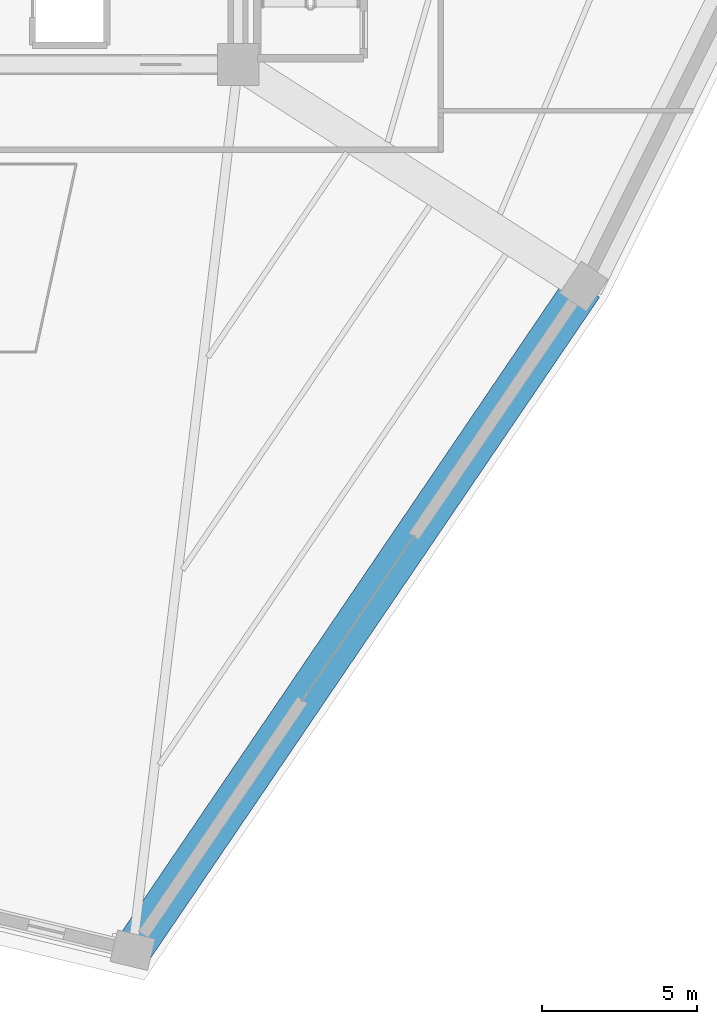
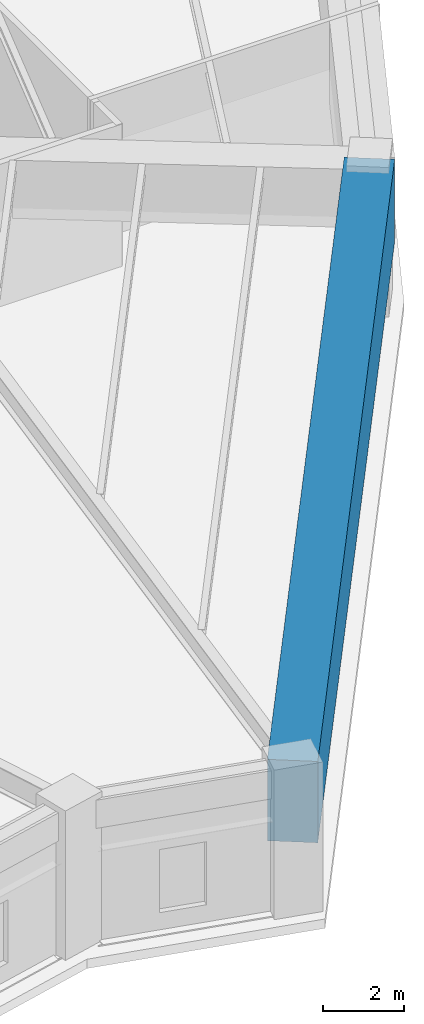
# One storey, part 7 of 39: 1 beam.
"""IFC4 building model written with IfcOpenShell, lengths in metres."""

from ifc_helpers import new_model, si_unit, direction, frame, origin, origin_2d, place, context, subcontext, project, spatial, rectangle, extrude, source, transform, mapped, material, material_profile, profile_set, type_object, element, save


model = new_model("IFC4")

# Units and contexts
model_context = context("Model", 3, precision=1e-05, world=origin(), true_north=direction((0.0, 1.0)))
body_context = subcontext(model_context, "Body", "Model", "MODEL_VIEW")
ifc_project = project(units=[si_unit("LENGTHUNIT", "METRE"), si_unit("AREAUNIT", "SQUARE_METRE"), si_unit("VOLUMEUNIT", "CUBIC_METRE"), si_unit("PLANEANGLEUNIT", "RADIAN"), si_unit("MASSUNIT", "GRAM", prefix="KILO")], contexts=[model_context])

# Site, building, storey
site_placement = place(None, origin())
site = spatial("IfcSite", under=ifc_project, at=site_placement, CompositionType="ELEMENT")
building_placement = place(site_placement, origin())
building = spatial("IfcBuilding", under=site, at=building_placement, Name="Liaohun Quay Tower", CompositionType="ELEMENT")
storey_placement = place(building_placement, frame((0.0, 0.0, 189.75)))
storey = spatial("IfcBuildingStorey", under=building, at=storey_placement, Name="L49", CompositionType="ELEMENT", Elevation=189.75)

# Beam
ifc_material = material(Name="Concrete C60", Category="concrete")
ifc_material_profile = material_profile(ifc_material, rectangle(XDim=1.25, YDim=2.449951171875, at=origin_2d()), Name="RC1250x2450")
ifc_profile_set = profile_set([ifc_material_profile], Name="Concrete C60")
beam_type = type_object("IfcBeamType", Name="BM-TRF-1", PredefinedType="BEAM", material=ifc_profile_set)
shared_shape = source(origin(), body_context, "Body", "SweptSolid", [
    extrude(rectangle(XDim=1.25, YDim=2.449951171875, at=origin_2d()), origin(), (0.0, 0.0, 1.0), 25.96826171875),
])
beam_placement = place(storey_placement, frame((80.177978515625, 39.324951171875, 3.094970703125), z_axis=(-0.56195792721, -0.827165816536, 0.0), x_axis=(0.827165816536, -0.56195792721, 0.0)))
element("IfcBeam", 1, at=beam_placement, inside=storey, type_object=beam_type, Name="L49 Precast Spandrel Beam PC10-PC11", PredefinedType="BEAM", context=body_context, shape_type="MappedRepresentation", body=[
    mapped(shared_shape, transform((0.0, 0.0, 0.0), x_axis=(1.0, 0.0, 0.0), y_axis=(0.0, 1.0, 0.0), z_axis=(0.0, 0.0, 1.0), scale=1.0)),
])

save(model, "model.ifc")
